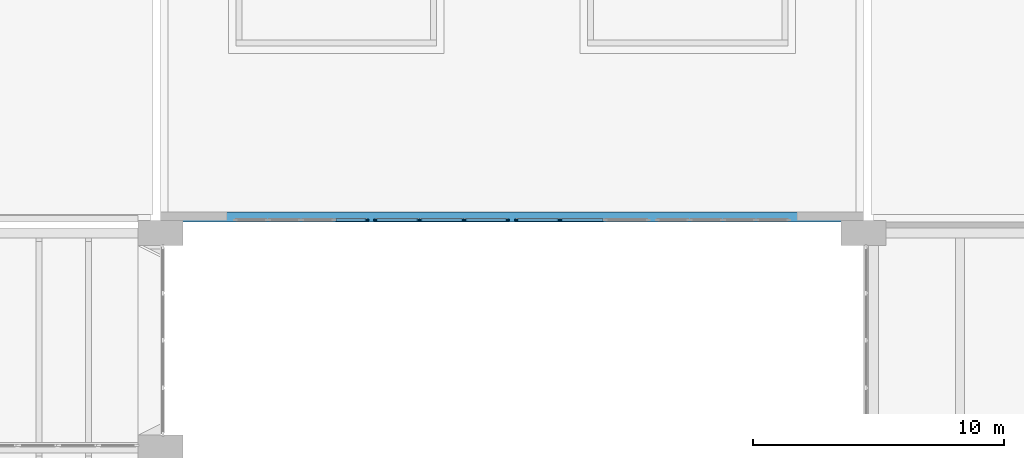
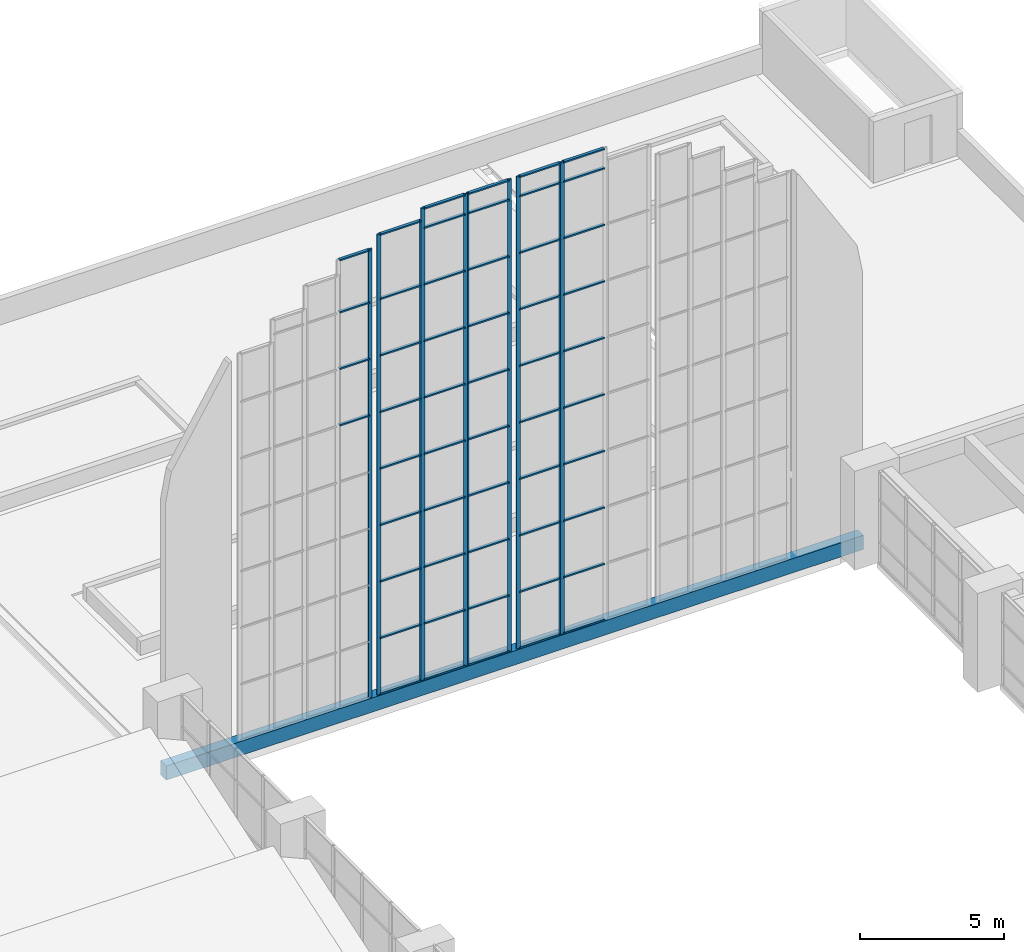
# One storey, part 16 of 43: 63 members, 1 beam, 6 elements without a shape of their own.
"""IFC4 building model written with IfcOpenShell, lengths in metres."""

from ifc_helpers import new_model, si_unit, direction, frame, origin, origin_2d, place, context, subcontext, project, spatial, rectangle, extrude, material, material_profile, profile_set, type_object, element, aggregate, save


model = new_model("IFC4")

# Units and contexts
model_context = context("Model", 3, precision=1e-05, world=origin(), true_north=direction((0.0, 1.0)))
body_context = subcontext(model_context, "Body", "Model", "MODEL_VIEW")
ifc_project = project(units=[si_unit("LENGTHUNIT", "METRE"), si_unit("AREAUNIT", "SQUARE_METRE"), si_unit("VOLUMEUNIT", "CUBIC_METRE"), si_unit("PLANEANGLEUNIT", "RADIAN"), si_unit("MASSUNIT", "GRAM", prefix="KILO")], contexts=[model_context])

# Site, building, storey
site_placement = place(None, origin())
site = spatial("IfcSite", under=ifc_project, at=site_placement, CompositionType="ELEMENT")
building_placement = place(site_placement, origin())
building = spatial("IfcBuilding", under=site, at=building_placement, Name="Elmora Arch Market Hall", CompositionType="ELEMENT")
storey_placement = place(building_placement, frame((0.0, 0.0, 10.199951171875)))
storey = spatial("IfcBuildingStorey", under=building, at=storey_placement, Name="L02", CompositionType="ELEMENT", Elevation=10.199951171875)

# Beam
ifc_material_1 = material(Name="Concrete C32/40", Category="concrete")
ifc_material_profile_1 = material_profile(ifc_material_1, rectangle(XDim=0.39990234375, YDim=0.60009765625, at=origin_2d()), Name="Gable sill beam")
ifc_profile_set_1 = profile_set([ifc_material_profile_1], Name="Concrete C32/40")
beam_type = type_object("IfcBeamType", Name="Gable sill beam", PredefinedType="BEAM", material=ifc_profile_set_1)
beam_placement = place(storey_placement, frame((15.0, 99.199951171875, 0.300048828125), z_axis=(1.0, 0.0, 0.0), x_axis=(0.0, 1.0, 0.0)))
element("IfcBeam", 1, at=beam_placement, inside=storey, type_object=beam_type, Name="North gable sill beam", PredefinedType="BEAM", context=body_context, shape_type="SweptSolid", body=[
    extrude(rectangle(XDim=0.39990234375, YDim=0.60009765625, at=origin_2d()), origin(), (0.0, 0.0, 1.0), 28.0),
])

# Curtain wall, member
ifc_material_2 = material(Name="Aluminium", Category="aluminium")
curtain_wall_type = type_object("IfcCurtainWallType", Name="Gable curtain wall", PredefinedType="NOTDEFINED", material=ifc_material_2)
curtain_wall_1_placement = place(storey_placement, origin())
curtain_wall_1 = element("IfcCurtainWall", 2, at=curtain_wall_1_placement, inside=storey, type_object=curtain_wall_type, Name="North gable glazing 4", PredefinedType="NOTDEFINED")
ifc_material_3 = material(Name="Aluminium", Category="aluminium")
ifc_material_profile_2 = material_profile(ifc_material_3, rectangle(XDim=0.06005859375, YDim=0.159912109375, at=origin_2d()), Name="AL 60x160")
ifc_profile_set_2 = profile_set([ifc_material_profile_2], Name="Aluminium")
member_type_1 = type_object("IfcMemberType", Name="Mullion 60x160", PredefinedType="MULLION", material=ifc_profile_set_2)
member_1_placement = place(storey_placement, frame((23.219970703125, 99.080078125, 0.60009765625), z_axis=(0.0, 0.0, 1.0), x_axis=(0.0, 1.0, 0.0)))
member_1 = element("IfcMember", 3, at=member_1_placement, type_object=member_type_1, Name="CW8 mullion 2", PredefinedType="MULLION", context=body_context, shape_type="SweptSolid", body=[
    extrude(rectangle(XDim=0.06005859375, YDim=0.159912109375, at=origin_2d()), origin(), (0.0, 0.0, 1.0), 19.044921875),
])

# Curtain wall, members
curtain_wall_2_placement = place(storey_placement, origin())
curtain_wall_2 = element("IfcCurtainWall", 4, at=curtain_wall_2_placement, inside=storey, type_object=curtain_wall_type, Name="North gable glazing 5", PredefinedType="NOTDEFINED")
member_2_placement = place(storey_placement, frame((23.580078125, 99.080078125, 0.60009765625), z_axis=(0.0, 0.0, 1.0), x_axis=(0.0, 1.0, 0.0)))
member_2 = element("IfcMember", 5, at=member_2_placement, type_object=member_type_1, Name="CW8 mullion 1", PredefinedType="MULLION", context=body_context, shape_type="SweptSolid", body=[
    extrude(rectangle(XDim=0.06005859375, YDim=0.159912109375, at=origin_2d()), origin(), (0.0, 0.0, 1.0), 19.557861328125),
])
member_3_placement = place(storey_placement, frame((25.28662109375, 99.080078125, 0.60009765625), z_axis=(0.0, 0.0, 1.0), x_axis=(0.0, 1.0, 0.0)))
member_3 = element("IfcMember", 6, at=member_3_placement, type_object=member_type_1, Name="CW8 mullion 2", PredefinedType="MULLION", context=body_context, shape_type="SweptSolid", body=[
    extrude(rectangle(XDim=0.06005859375, YDim=0.159912109375, at=origin_2d()), origin(), (0.0, 0.0, 1.0), 19.557861328125),
])

curtain_wall_3_placement = place(storey_placement, origin())
curtain_wall_3 = element("IfcCurtainWall", 7, at=curtain_wall_3_placement, inside=storey, type_object=curtain_wall_type, Name="North gable glazing 6", PredefinedType="NOTDEFINED")
member_4_placement = place(storey_placement, frame((25.3466796875, 99.080078125, 0.60009765625), z_axis=(0.0, 0.0, 1.0), x_axis=(0.0, 1.0, 0.0)))
member_4 = element("IfcMember", 8, at=member_4_placement, type_object=member_type_1, Name="CW8 mullion 1", PredefinedType="MULLION", context=body_context, shape_type="SweptSolid", body=[
    extrude(rectangle(XDim=0.06005859375, YDim=0.159912109375, at=origin_2d()), origin(), (0.0, 0.0, 1.0), 20.050048828125),
])
member_5_placement = place(storey_placement, frame((27.05322265625, 99.080078125, 0.60009765625), z_axis=(0.0, 0.0, 1.0), x_axis=(0.0, 1.0, 0.0)))
member_5 = element("IfcMember", 9, at=member_5_placement, type_object=member_type_1, Name="CW8 mullion 2", PredefinedType="MULLION", context=body_context, shape_type="SweptSolid", body=[
    extrude(rectangle(XDim=0.06005859375, YDim=0.159912109375, at=origin_2d()), origin(), (0.0, 0.0, 1.0), 20.050048828125),
])

curtain_wall_4_placement = place(storey_placement, origin())
curtain_wall_4 = element("IfcCurtainWall", 10, at=curtain_wall_4_placement, inside=storey, type_object=curtain_wall_type, Name="North gable glazing 7", PredefinedType="NOTDEFINED")
member_6_placement = place(storey_placement, frame((27.11328125, 99.080078125, 0.60009765625), z_axis=(0.0, 0.0, 1.0), x_axis=(0.0, 1.0, 0.0)))
member_6 = element("IfcMember", 11, at=member_6_placement, type_object=member_type_1, Name="CW8 mullion 1", PredefinedType="MULLION", context=body_context, shape_type="SweptSolid", body=[
    extrude(rectangle(XDim=0.06005859375, YDim=0.159912109375, at=origin_2d()), origin(), (0.0, 0.0, 1.0), 20.050048828125),
])
member_7_placement = place(storey_placement, frame((28.820068359375, 99.080078125, 0.60009765625), z_axis=(0.0, 0.0, 1.0), x_axis=(0.0, 1.0, 0.0)))
member_7 = element("IfcMember", 12, at=member_7_placement, type_object=member_type_1, Name="CW8 mullion 2", PredefinedType="MULLION", context=body_context, shape_type="SweptSolid", body=[
    extrude(rectangle(XDim=0.06005859375, YDim=0.159912109375, at=origin_2d()), origin(), (0.0, 0.0, 1.0), 20.050048828125),
])

curtain_wall_5_placement = place(storey_placement, origin())
curtain_wall_5 = element("IfcCurtainWall", 13, at=curtain_wall_5_placement, inside=storey, type_object=curtain_wall_type, Name="North gable glazing 8", PredefinedType="NOTDEFINED")
member_8_placement = place(storey_placement, frame((29.179931640625, 99.080078125, 0.60009765625), z_axis=(0.0, 0.0, 1.0), x_axis=(0.0, 1.0, 0.0)))
member_8 = element("IfcMember", 14, at=member_8_placement, type_object=member_type_1, Name="CW8 mullion 1", PredefinedType="MULLION", context=body_context, shape_type="SweptSolid", body=[
    extrude(rectangle(XDim=0.06005859375, YDim=0.159912109375, at=origin_2d()), origin(), (0.0, 0.0, 1.0), 20.050048828125),
])
member_9_placement = place(storey_placement, frame((30.88671875, 99.080078125, 0.60009765625), z_axis=(0.0, 0.0, 1.0), x_axis=(0.0, 1.0, 0.0)))
member_9 = element("IfcMember", 15, at=member_9_placement, type_object=member_type_1, Name="CW8 mullion 2", PredefinedType="MULLION", context=body_context, shape_type="SweptSolid", body=[
    extrude(rectangle(XDim=0.06005859375, YDim=0.159912109375, at=origin_2d()), origin(), (0.0, 0.0, 1.0), 20.050048828125),
])

# Curtain wall, member
curtain_wall_6_placement = place(storey_placement, origin())
curtain_wall_6 = element("IfcCurtainWall", 16, at=curtain_wall_6_placement, inside=storey, type_object=curtain_wall_type, Name="North gable glazing 9", PredefinedType="NOTDEFINED")
member_10_placement = place(storey_placement, frame((30.94677734375, 99.080078125, 0.60009765625), z_axis=(0.0, 0.0, 1.0), x_axis=(0.0, 1.0, 0.0)))
member_10 = element("IfcMember", 17, at=member_10_placement, type_object=member_type_1, Name="CW8 mullion 1", PredefinedType="MULLION", context=body_context, shape_type="SweptSolid", body=[
    extrude(rectangle(XDim=0.06005859375, YDim=0.159912109375, at=origin_2d()), origin(), (0.0, 0.0, 1.0), 20.050048828125),
])

# Member
ifc_material_4 = material(Name="Aluminium", Category="aluminium")
ifc_material_profile_3 = material_profile(ifc_material_4, rectangle(XDim=0.1201171875, YDim=0.06005859375, at=origin_2d()), Name="AL 120x60")
ifc_profile_set_3 = profile_set([ifc_material_profile_3], Name="Aluminium")
member_type_2 = type_object("IfcMemberType", Name="Transom 120x60", PredefinedType="USERDEFINED", material=ifc_profile_set_3)
member_11_placement = place(storey_placement, frame((21.985107421875, 99.080078125, 12.60009765625), z_axis=(1.0, 0.0, 0.0), x_axis=(0.0, 1.0, 0.0)))
member_11 = element("IfcMember", 18, at=member_11_placement, type_object=member_type_2, Name="CW8 transom 1.6", ObjectType="TRANSOM", PredefinedType="USERDEFINED", context=body_context, shape_type="SweptSolid", body=[
    extrude(rectangle(XDim=0.1201171875, YDim=0.06005859375, at=origin_2d()), origin(), (0.0, 0.0, 1.0), 1.204833984375),
])

member_12_placement = place(storey_placement, frame((21.985107421875, 99.080078125, 15.0), z_axis=(1.0, 0.0, 0.0), x_axis=(0.0, 1.0, 0.0)))
member_12 = element("IfcMember", 19, at=member_12_placement, type_object=member_type_2, Name="CW8 transom 1.7", ObjectType="TRANSOM", PredefinedType="USERDEFINED", context=body_context, shape_type="SweptSolid", body=[
    extrude(rectangle(XDim=0.1201171875, YDim=0.06005859375, at=origin_2d()), origin(), (0.0, 0.0, 1.0), 1.204833984375),
])

member_13_placement = place(storey_placement, frame((21.985107421875, 99.080078125, 17.400146484375), z_axis=(1.0, 0.0, 0.0), x_axis=(0.0, 1.0, 0.0)))
member_13 = element("IfcMember", 20, at=member_13_placement, type_object=member_type_2, Name="CW8 transom 1.8", ObjectType="TRANSOM", PredefinedType="USERDEFINED", context=body_context, shape_type="SweptSolid", body=[
    extrude(rectangle(XDim=0.1201171875, YDim=0.06005859375, at=origin_2d()), origin(), (0.0, 0.0, 1.0), 1.204833984375),
])

member_14_placement = place(storey_placement, frame((21.985107421875, 99.080078125, 19.614990234375), z_axis=(1.0, 0.0, 0.0), x_axis=(0.0, 1.0, 0.0)))
member_14 = element("IfcMember", 21, at=member_14_placement, type_object=member_type_2, Name="CW8 transom 1.9", ObjectType="TRANSOM", PredefinedType="USERDEFINED", context=body_context, shape_type="SweptSolid", body=[
    extrude(rectangle(XDim=0.1201171875, YDim=0.06005859375, at=origin_2d()), origin(), (0.0, 0.0, 1.0), 1.204833984375),
])

aggregate(curtain_wall_1, [member_1, member_11, member_12, member_13, member_14])

member_15_placement = place(storey_placement, frame((23.610107421875, 99.080078125, 0.630126953125), z_axis=(1.0, 0.0, 0.0), x_axis=(0.0, 1.0, 0.0)))
member_15 = element("IfcMember", 22, at=member_15_placement, type_object=member_type_2, Name="CW8 transom 1.1", ObjectType="TRANSOM", PredefinedType="USERDEFINED", context=body_context, shape_type="SweptSolid", body=[
    extrude(rectangle(XDim=0.1201171875, YDim=0.06005859375, at=origin_2d()), origin(), (0.0, 0.0, 1.0), 1.646484375),
])

member_16_placement = place(storey_placement, frame((23.610107421875, 99.080078125, 3.0), z_axis=(1.0, 0.0, 0.0), x_axis=(0.0, 1.0, 0.0)))
member_16 = element("IfcMember", 23, at=member_16_placement, type_object=member_type_2, Name="CW8 transom 1.2", ObjectType="TRANSOM", PredefinedType="USERDEFINED", context=body_context, shape_type="SweptSolid", body=[
    extrude(rectangle(XDim=0.1201171875, YDim=0.06005859375, at=origin_2d()), origin(), (0.0, 0.0, 1.0), 1.646484375),
])

member_17_placement = place(storey_placement, frame((23.610107421875, 99.080078125, 5.400146484375), z_axis=(1.0, 0.0, 0.0), x_axis=(0.0, 1.0, 0.0)))
member_17 = element("IfcMember", 24, at=member_17_placement, type_object=member_type_2, Name="CW8 transom 1.3", ObjectType="TRANSOM", PredefinedType="USERDEFINED", context=body_context, shape_type="SweptSolid", body=[
    extrude(rectangle(XDim=0.1201171875, YDim=0.06005859375, at=origin_2d()), origin(), (0.0, 0.0, 1.0), 1.646484375),
])

member_18_placement = place(storey_placement, frame((23.610107421875, 99.080078125, 7.800048828125), z_axis=(1.0, 0.0, 0.0), x_axis=(0.0, 1.0, 0.0)))
member_18 = element("IfcMember", 25, at=member_18_placement, type_object=member_type_2, Name="CW8 transom 1.4", ObjectType="TRANSOM", PredefinedType="USERDEFINED", context=body_context, shape_type="SweptSolid", body=[
    extrude(rectangle(XDim=0.1201171875, YDim=0.06005859375, at=origin_2d()), origin(), (0.0, 0.0, 1.0), 1.646484375),
])

member_19_placement = place(storey_placement, frame((23.610107421875, 99.080078125, 10.199951171875), z_axis=(1.0, 0.0, 0.0), x_axis=(0.0, 1.0, 0.0)))
member_19 = element("IfcMember", 26, at=member_19_placement, type_object=member_type_2, Name="CW8 transom 1.5", ObjectType="TRANSOM", PredefinedType="USERDEFINED", context=body_context, shape_type="SweptSolid", body=[
    extrude(rectangle(XDim=0.1201171875, YDim=0.06005859375, at=origin_2d()), origin(), (0.0, 0.0, 1.0), 1.646484375),
])

member_20_placement = place(storey_placement, frame((23.610107421875, 99.080078125, 12.60009765625), z_axis=(1.0, 0.0, 0.0), x_axis=(0.0, 1.0, 0.0)))
member_20 = element("IfcMember", 27, at=member_20_placement, type_object=member_type_2, Name="CW8 transom 1.6", ObjectType="TRANSOM", PredefinedType="USERDEFINED", context=body_context, shape_type="SweptSolid", body=[
    extrude(rectangle(XDim=0.1201171875, YDim=0.06005859375, at=origin_2d()), origin(), (0.0, 0.0, 1.0), 1.646484375),
])

member_21_placement = place(storey_placement, frame((23.610107421875, 99.080078125, 15.0), z_axis=(1.0, 0.0, 0.0), x_axis=(0.0, 1.0, 0.0)))
member_21 = element("IfcMember", 28, at=member_21_placement, type_object=member_type_2, Name="CW8 transom 1.7", ObjectType="TRANSOM", PredefinedType="USERDEFINED", context=body_context, shape_type="SweptSolid", body=[
    extrude(rectangle(XDim=0.1201171875, YDim=0.06005859375, at=origin_2d()), origin(), (0.0, 0.0, 1.0), 1.646484375),
])

member_22_placement = place(storey_placement, frame((23.610107421875, 99.080078125, 17.400146484375), z_axis=(1.0, 0.0, 0.0), x_axis=(0.0, 1.0, 0.0)))
member_22 = element("IfcMember", 29, at=member_22_placement, type_object=member_type_2, Name="CW8 transom 1.8", ObjectType="TRANSOM", PredefinedType="USERDEFINED", context=body_context, shape_type="SweptSolid", body=[
    extrude(rectangle(XDim=0.1201171875, YDim=0.06005859375, at=origin_2d()), origin(), (0.0, 0.0, 1.0), 1.646484375),
])

member_23_placement = place(storey_placement, frame((23.610107421875, 99.080078125, 20.1279296875), z_axis=(1.0, 0.0, 0.0), x_axis=(0.0, 1.0, 0.0)))
member_23 = element("IfcMember", 30, at=member_23_placement, type_object=member_type_2, Name="CW8 transom 1.9", ObjectType="TRANSOM", PredefinedType="USERDEFINED", context=body_context, shape_type="SweptSolid", body=[
    extrude(rectangle(XDim=0.1201171875, YDim=0.06005859375, at=origin_2d()), origin(), (0.0, 0.0, 1.0), 1.646484375),
])

aggregate(curtain_wall_2, [member_2, member_3, member_15, member_16, member_17, member_18, member_19, member_20, member_21, member_22, member_23])

member_24_placement = place(storey_placement, frame((25.376708984375, 99.080078125, 0.630126953125), z_axis=(1.0, 0.0, 0.0), x_axis=(0.0, 1.0, 0.0)))
member_24 = element("IfcMember", 31, at=member_24_placement, type_object=member_type_2, Name="CW8 transom 1.1", ObjectType="TRANSOM", PredefinedType="USERDEFINED", context=body_context, shape_type="SweptSolid", body=[
    extrude(rectangle(XDim=0.1201171875, YDim=0.06005859375, at=origin_2d()), origin(), (0.0, 0.0, 1.0), 1.646728515625),
])

member_25_placement = place(storey_placement, frame((25.376708984375, 99.080078125, 3.0), z_axis=(1.0, 0.0, 0.0), x_axis=(0.0, 1.0, 0.0)))
member_25 = element("IfcMember", 32, at=member_25_placement, type_object=member_type_2, Name="CW8 transom 1.2", ObjectType="TRANSOM", PredefinedType="USERDEFINED", context=body_context, shape_type="SweptSolid", body=[
    extrude(rectangle(XDim=0.1201171875, YDim=0.06005859375, at=origin_2d()), origin(), (0.0, 0.0, 1.0), 1.646728515625),
])

member_26_placement = place(storey_placement, frame((25.376708984375, 99.080078125, 5.400146484375), z_axis=(1.0, 0.0, 0.0), x_axis=(0.0, 1.0, 0.0)))
member_26 = element("IfcMember", 33, at=member_26_placement, type_object=member_type_2, Name="CW8 transom 1.3", ObjectType="TRANSOM", PredefinedType="USERDEFINED", context=body_context, shape_type="SweptSolid", body=[
    extrude(rectangle(XDim=0.1201171875, YDim=0.06005859375, at=origin_2d()), origin(), (0.0, 0.0, 1.0), 1.646728515625),
])

member_27_placement = place(storey_placement, frame((25.376708984375, 99.080078125, 7.800048828125), z_axis=(1.0, 0.0, 0.0), x_axis=(0.0, 1.0, 0.0)))
member_27 = element("IfcMember", 34, at=member_27_placement, type_object=member_type_2, Name="CW8 transom 1.4", ObjectType="TRANSOM", PredefinedType="USERDEFINED", context=body_context, shape_type="SweptSolid", body=[
    extrude(rectangle(XDim=0.1201171875, YDim=0.06005859375, at=origin_2d()), origin(), (0.0, 0.0, 1.0), 1.646728515625),
])

member_28_placement = place(storey_placement, frame((25.376708984375, 99.080078125, 10.199951171875), z_axis=(1.0, 0.0, 0.0), x_axis=(0.0, 1.0, 0.0)))
member_28 = element("IfcMember", 35, at=member_28_placement, type_object=member_type_2, Name="CW8 transom 1.5", ObjectType="TRANSOM", PredefinedType="USERDEFINED", context=body_context, shape_type="SweptSolid", body=[
    extrude(rectangle(XDim=0.1201171875, YDim=0.06005859375, at=origin_2d()), origin(), (0.0, 0.0, 1.0), 1.646728515625),
])

member_29_placement = place(storey_placement, frame((25.376708984375, 99.080078125, 12.60009765625), z_axis=(1.0, 0.0, 0.0), x_axis=(0.0, 1.0, 0.0)))
member_29 = element("IfcMember", 36, at=member_29_placement, type_object=member_type_2, Name="CW8 transom 1.6", ObjectType="TRANSOM", PredefinedType="USERDEFINED", context=body_context, shape_type="SweptSolid", body=[
    extrude(rectangle(XDim=0.1201171875, YDim=0.06005859375, at=origin_2d()), origin(), (0.0, 0.0, 1.0), 1.646728515625),
])

member_30_placement = place(storey_placement, frame((25.376708984375, 99.080078125, 15.0), z_axis=(1.0, 0.0, 0.0), x_axis=(0.0, 1.0, 0.0)))
member_30 = element("IfcMember", 37, at=member_30_placement, type_object=member_type_2, Name="CW8 transom 1.7", ObjectType="TRANSOM", PredefinedType="USERDEFINED", context=body_context, shape_type="SweptSolid", body=[
    extrude(rectangle(XDim=0.1201171875, YDim=0.06005859375, at=origin_2d()), origin(), (0.0, 0.0, 1.0), 1.646728515625),
])

member_31_placement = place(storey_placement, frame((25.376708984375, 99.080078125, 17.400146484375), z_axis=(1.0, 0.0, 0.0), x_axis=(0.0, 1.0, 0.0)))
member_31 = element("IfcMember", 38, at=member_31_placement, type_object=member_type_2, Name="CW8 transom 1.8", ObjectType="TRANSOM", PredefinedType="USERDEFINED", context=body_context, shape_type="SweptSolid", body=[
    extrude(rectangle(XDim=0.1201171875, YDim=0.06005859375, at=origin_2d()), origin(), (0.0, 0.0, 1.0), 1.646728515625),
])

member_32_placement = place(storey_placement, frame((25.376708984375, 99.080078125, 19.800048828125), z_axis=(1.0, 0.0, 0.0), x_axis=(0.0, 1.0, 0.0)))
member_32 = element("IfcMember", 39, at=member_32_placement, type_object=member_type_2, Name="CW8 transom 1.9", ObjectType="TRANSOM", PredefinedType="USERDEFINED", context=body_context, shape_type="SweptSolid", body=[
    extrude(rectangle(XDim=0.1201171875, YDim=0.06005859375, at=origin_2d()), origin(), (0.0, 0.0, 1.0), 1.646728515625),
])

member_33_placement = place(storey_placement, frame((25.376708984375, 99.080078125, 20.6201171875), z_axis=(1.0, 0.0, 0.0), x_axis=(0.0, 1.0, 0.0)))
member_33 = element("IfcMember", 40, at=member_33_placement, type_object=member_type_2, Name="CW8 transom 1.10", ObjectType="TRANSOM", PredefinedType="USERDEFINED", context=body_context, shape_type="SweptSolid", body=[
    extrude(rectangle(XDim=0.1201171875, YDim=0.06005859375, at=origin_2d()), origin(), (0.0, 0.0, 1.0), 1.646728515625),
])

aggregate(curtain_wall_3, [member_4, member_5, member_24, member_25, member_26, member_27, member_28, member_29, member_30, member_31, member_32, member_33])

member_34_placement = place(storey_placement, frame((27.143310546875, 99.080078125, 0.630126953125), z_axis=(1.0, 0.0, 0.0), x_axis=(0.0, 1.0, 0.0)))
member_34 = element("IfcMember", 41, at=member_34_placement, type_object=member_type_2, Name="CW8 transom 1.1", ObjectType="TRANSOM", PredefinedType="USERDEFINED", context=body_context, shape_type="SweptSolid", body=[
    extrude(rectangle(XDim=0.1201171875, YDim=0.06005859375, at=origin_2d()), origin(), (0.0, 0.0, 1.0), 1.646728515625),
])

member_35_placement = place(storey_placement, frame((27.143310546875, 99.080078125, 3.0), z_axis=(1.0, 0.0, 0.0), x_axis=(0.0, 1.0, 0.0)))
member_35 = element("IfcMember", 42, at=member_35_placement, type_object=member_type_2, Name="CW8 transom 1.2", ObjectType="TRANSOM", PredefinedType="USERDEFINED", context=body_context, shape_type="SweptSolid", body=[
    extrude(rectangle(XDim=0.1201171875, YDim=0.06005859375, at=origin_2d()), origin(), (0.0, 0.0, 1.0), 1.646728515625),
])

member_36_placement = place(storey_placement, frame((27.143310546875, 99.080078125, 5.400146484375), z_axis=(1.0, 0.0, 0.0), x_axis=(0.0, 1.0, 0.0)))
member_36 = element("IfcMember", 43, at=member_36_placement, type_object=member_type_2, Name="CW8 transom 1.3", ObjectType="TRANSOM", PredefinedType="USERDEFINED", context=body_context, shape_type="SweptSolid", body=[
    extrude(rectangle(XDim=0.1201171875, YDim=0.06005859375, at=origin_2d()), origin(), (0.0, 0.0, 1.0), 1.646728515625),
])

member_37_placement = place(storey_placement, frame((27.143310546875, 99.080078125, 7.800048828125), z_axis=(1.0, 0.0, 0.0), x_axis=(0.0, 1.0, 0.0)))
member_37 = element("IfcMember", 44, at=member_37_placement, type_object=member_type_2, Name="CW8 transom 1.4", ObjectType="TRANSOM", PredefinedType="USERDEFINED", context=body_context, shape_type="SweptSolid", body=[
    extrude(rectangle(XDim=0.1201171875, YDim=0.06005859375, at=origin_2d()), origin(), (0.0, 0.0, 1.0), 1.646728515625),
])

member_38_placement = place(storey_placement, frame((27.143310546875, 99.080078125, 10.199951171875), z_axis=(1.0, 0.0, 0.0), x_axis=(0.0, 1.0, 0.0)))
member_38 = element("IfcMember", 45, at=member_38_placement, type_object=member_type_2, Name="CW8 transom 1.5", ObjectType="TRANSOM", PredefinedType="USERDEFINED", context=body_context, shape_type="SweptSolid", body=[
    extrude(rectangle(XDim=0.1201171875, YDim=0.06005859375, at=origin_2d()), origin(), (0.0, 0.0, 1.0), 1.646728515625),
])

member_39_placement = place(storey_placement, frame((27.143310546875, 99.080078125, 12.60009765625), z_axis=(1.0, 0.0, 0.0), x_axis=(0.0, 1.0, 0.0)))
member_39 = element("IfcMember", 46, at=member_39_placement, type_object=member_type_2, Name="CW8 transom 1.6", ObjectType="TRANSOM", PredefinedType="USERDEFINED", context=body_context, shape_type="SweptSolid", body=[
    extrude(rectangle(XDim=0.1201171875, YDim=0.06005859375, at=origin_2d()), origin(), (0.0, 0.0, 1.0), 1.646728515625),
])

member_40_placement = place(storey_placement, frame((27.143310546875, 99.080078125, 15.0), z_axis=(1.0, 0.0, 0.0), x_axis=(0.0, 1.0, 0.0)))
member_40 = element("IfcMember", 47, at=member_40_placement, type_object=member_type_2, Name="CW8 transom 1.7", ObjectType="TRANSOM", PredefinedType="USERDEFINED", context=body_context, shape_type="SweptSolid", body=[
    extrude(rectangle(XDim=0.1201171875, YDim=0.06005859375, at=origin_2d()), origin(), (0.0, 0.0, 1.0), 1.646728515625),
])

member_41_placement = place(storey_placement, frame((27.143310546875, 99.080078125, 17.400146484375), z_axis=(1.0, 0.0, 0.0), x_axis=(0.0, 1.0, 0.0)))
member_41 = element("IfcMember", 48, at=member_41_placement, type_object=member_type_2, Name="CW8 transom 1.8", ObjectType="TRANSOM", PredefinedType="USERDEFINED", context=body_context, shape_type="SweptSolid", body=[
    extrude(rectangle(XDim=0.1201171875, YDim=0.06005859375, at=origin_2d()), origin(), (0.0, 0.0, 1.0), 1.646728515625),
])

member_42_placement = place(storey_placement, frame((27.143310546875, 99.080078125, 19.800048828125), z_axis=(1.0, 0.0, 0.0), x_axis=(0.0, 1.0, 0.0)))
member_42 = element("IfcMember", 49, at=member_42_placement, type_object=member_type_2, Name="CW8 transom 1.9", ObjectType="TRANSOM", PredefinedType="USERDEFINED", context=body_context, shape_type="SweptSolid", body=[
    extrude(rectangle(XDim=0.1201171875, YDim=0.06005859375, at=origin_2d()), origin(), (0.0, 0.0, 1.0), 1.646728515625),
])

member_43_placement = place(storey_placement, frame((27.143310546875, 99.080078125, 20.6201171875), z_axis=(1.0, 0.0, 0.0), x_axis=(0.0, 1.0, 0.0)))
member_43 = element("IfcMember", 50, at=member_43_placement, type_object=member_type_2, Name="CW8 transom 1.10", ObjectType="TRANSOM", PredefinedType="USERDEFINED", context=body_context, shape_type="SweptSolid", body=[
    extrude(rectangle(XDim=0.1201171875, YDim=0.06005859375, at=origin_2d()), origin(), (0.0, 0.0, 1.0), 1.646728515625),
])

aggregate(curtain_wall_4, [member_6, member_7, member_34, member_35, member_36, member_37, member_38, member_39, member_40, member_41, member_42, member_43])

member_44_placement = place(storey_placement, frame((29.2099609375, 99.080078125, 0.630126953125), z_axis=(1.0, 0.0, 0.0), x_axis=(0.0, 1.0, 0.0)))
member_44 = element("IfcMember", 51, at=member_44_placement, type_object=member_type_2, Name="CW8 transom 1.1", ObjectType="TRANSOM", PredefinedType="USERDEFINED", context=body_context, shape_type="SweptSolid", body=[
    extrude(rectangle(XDim=0.1201171875, YDim=0.06005859375, at=origin_2d()), origin(), (0.0, 0.0, 1.0), 1.646728515625),
])

member_45_placement = place(storey_placement, frame((29.2099609375, 99.080078125, 3.0), z_axis=(1.0, 0.0, 0.0), x_axis=(0.0, 1.0, 0.0)))
member_45 = element("IfcMember", 52, at=member_45_placement, type_object=member_type_2, Name="CW8 transom 1.2", ObjectType="TRANSOM", PredefinedType="USERDEFINED", context=body_context, shape_type="SweptSolid", body=[
    extrude(rectangle(XDim=0.1201171875, YDim=0.06005859375, at=origin_2d()), origin(), (0.0, 0.0, 1.0), 1.646728515625),
])

member_46_placement = place(storey_placement, frame((29.2099609375, 99.080078125, 5.400146484375), z_axis=(1.0, 0.0, 0.0), x_axis=(0.0, 1.0, 0.0)))
member_46 = element("IfcMember", 53, at=member_46_placement, type_object=member_type_2, Name="CW8 transom 1.3", ObjectType="TRANSOM", PredefinedType="USERDEFINED", context=body_context, shape_type="SweptSolid", body=[
    extrude(rectangle(XDim=0.1201171875, YDim=0.06005859375, at=origin_2d()), origin(), (0.0, 0.0, 1.0), 1.646728515625),
])

member_47_placement = place(storey_placement, frame((29.2099609375, 99.080078125, 7.800048828125), z_axis=(1.0, 0.0, 0.0), x_axis=(0.0, 1.0, 0.0)))
member_47 = element("IfcMember", 54, at=member_47_placement, type_object=member_type_2, Name="CW8 transom 1.4", ObjectType="TRANSOM", PredefinedType="USERDEFINED", context=body_context, shape_type="SweptSolid", body=[
    extrude(rectangle(XDim=0.1201171875, YDim=0.06005859375, at=origin_2d()), origin(), (0.0, 0.0, 1.0), 1.646728515625),
])

member_48_placement = place(storey_placement, frame((29.2099609375, 99.080078125, 10.199951171875), z_axis=(1.0, 0.0, 0.0), x_axis=(0.0, 1.0, 0.0)))
member_48 = element("IfcMember", 55, at=member_48_placement, type_object=member_type_2, Name="CW8 transom 1.5", ObjectType="TRANSOM", PredefinedType="USERDEFINED", context=body_context, shape_type="SweptSolid", body=[
    extrude(rectangle(XDim=0.1201171875, YDim=0.06005859375, at=origin_2d()), origin(), (0.0, 0.0, 1.0), 1.646728515625),
])

member_49_placement = place(storey_placement, frame((29.2099609375, 99.080078125, 12.60009765625), z_axis=(1.0, 0.0, 0.0), x_axis=(0.0, 1.0, 0.0)))
member_49 = element("IfcMember", 56, at=member_49_placement, type_object=member_type_2, Name="CW8 transom 1.6", ObjectType="TRANSOM", PredefinedType="USERDEFINED", context=body_context, shape_type="SweptSolid", body=[
    extrude(rectangle(XDim=0.1201171875, YDim=0.06005859375, at=origin_2d()), origin(), (0.0, 0.0, 1.0), 1.646728515625),
])

member_50_placement = place(storey_placement, frame((29.2099609375, 99.080078125, 15.0), z_axis=(1.0, 0.0, 0.0), x_axis=(0.0, 1.0, 0.0)))
member_50 = element("IfcMember", 57, at=member_50_placement, type_object=member_type_2, Name="CW8 transom 1.7", ObjectType="TRANSOM", PredefinedType="USERDEFINED", context=body_context, shape_type="SweptSolid", body=[
    extrude(rectangle(XDim=0.1201171875, YDim=0.06005859375, at=origin_2d()), origin(), (0.0, 0.0, 1.0), 1.646728515625),
])

member_51_placement = place(storey_placement, frame((29.2099609375, 99.080078125, 17.400146484375), z_axis=(1.0, 0.0, 0.0), x_axis=(0.0, 1.0, 0.0)))
member_51 = element("IfcMember", 58, at=member_51_placement, type_object=member_type_2, Name="CW8 transom 1.8", ObjectType="TRANSOM", PredefinedType="USERDEFINED", context=body_context, shape_type="SweptSolid", body=[
    extrude(rectangle(XDim=0.1201171875, YDim=0.06005859375, at=origin_2d()), origin(), (0.0, 0.0, 1.0), 1.646728515625),
])

member_52_placement = place(storey_placement, frame((29.2099609375, 99.080078125, 19.800048828125), z_axis=(1.0, 0.0, 0.0), x_axis=(0.0, 1.0, 0.0)))
member_52 = element("IfcMember", 59, at=member_52_placement, type_object=member_type_2, Name="CW8 transom 1.9", ObjectType="TRANSOM", PredefinedType="USERDEFINED", context=body_context, shape_type="SweptSolid", body=[
    extrude(rectangle(XDim=0.1201171875, YDim=0.06005859375, at=origin_2d()), origin(), (0.0, 0.0, 1.0), 1.646728515625),
])

member_53_placement = place(storey_placement, frame((29.2099609375, 99.080078125, 20.6201171875), z_axis=(1.0, 0.0, 0.0), x_axis=(0.0, 1.0, 0.0)))
member_53 = element("IfcMember", 60, at=member_53_placement, type_object=member_type_2, Name="CW8 transom 1.10", ObjectType="TRANSOM", PredefinedType="USERDEFINED", context=body_context, shape_type="SweptSolid", body=[
    extrude(rectangle(XDim=0.1201171875, YDim=0.06005859375, at=origin_2d()), origin(), (0.0, 0.0, 1.0), 1.646728515625),
])

aggregate(curtain_wall_5, [member_8, member_9, member_44, member_45, member_46, member_47, member_48, member_49, member_50, member_51, member_52, member_53])

member_54_placement = place(storey_placement, frame((30.9765625, 99.080078125, 0.630126953125), z_axis=(1.0, 0.0, 0.0), x_axis=(0.0, 1.0, 0.0)))
member_54 = element("IfcMember", 61, at=member_54_placement, type_object=member_type_2, Name="CW8 transom 1.1", ObjectType="TRANSOM", PredefinedType="USERDEFINED", context=body_context, shape_type="SweptSolid", body=[
    extrude(rectangle(XDim=0.1201171875, YDim=0.06005859375, at=origin_2d()), origin(), (0.0, 0.0, 1.0), 1.646728515625),
])

member_55_placement = place(storey_placement, frame((30.9765625, 99.080078125, 3.0), z_axis=(1.0, 0.0, 0.0), x_axis=(0.0, 1.0, 0.0)))
member_55 = element("IfcMember", 62, at=member_55_placement, type_object=member_type_2, Name="CW8 transom 1.2", ObjectType="TRANSOM", PredefinedType="USERDEFINED", context=body_context, shape_type="SweptSolid", body=[
    extrude(rectangle(XDim=0.1201171875, YDim=0.06005859375, at=origin_2d()), origin(), (0.0, 0.0, 1.0), 1.646728515625),
])

member_56_placement = place(storey_placement, frame((30.9765625, 99.080078125, 5.400146484375), z_axis=(1.0, 0.0, 0.0), x_axis=(0.0, 1.0, 0.0)))
member_56 = element("IfcMember", 63, at=member_56_placement, type_object=member_type_2, Name="CW8 transom 1.3", ObjectType="TRANSOM", PredefinedType="USERDEFINED", context=body_context, shape_type="SweptSolid", body=[
    extrude(rectangle(XDim=0.1201171875, YDim=0.06005859375, at=origin_2d()), origin(), (0.0, 0.0, 1.0), 1.646728515625),
])

member_57_placement = place(storey_placement, frame((30.9765625, 99.080078125, 7.800048828125), z_axis=(1.0, 0.0, 0.0), x_axis=(0.0, 1.0, 0.0)))
member_57 = element("IfcMember", 64, at=member_57_placement, type_object=member_type_2, Name="CW8 transom 1.4", ObjectType="TRANSOM", PredefinedType="USERDEFINED", context=body_context, shape_type="SweptSolid", body=[
    extrude(rectangle(XDim=0.1201171875, YDim=0.06005859375, at=origin_2d()), origin(), (0.0, 0.0, 1.0), 1.646728515625),
])

member_58_placement = place(storey_placement, frame((30.9765625, 99.080078125, 10.199951171875), z_axis=(1.0, 0.0, 0.0), x_axis=(0.0, 1.0, 0.0)))
member_58 = element("IfcMember", 65, at=member_58_placement, type_object=member_type_2, Name="CW8 transom 1.5", ObjectType="TRANSOM", PredefinedType="USERDEFINED", context=body_context, shape_type="SweptSolid", body=[
    extrude(rectangle(XDim=0.1201171875, YDim=0.06005859375, at=origin_2d()), origin(), (0.0, 0.0, 1.0), 1.646728515625),
])

member_59_placement = place(storey_placement, frame((30.9765625, 99.080078125, 12.60009765625), z_axis=(1.0, 0.0, 0.0), x_axis=(0.0, 1.0, 0.0)))
member_59 = element("IfcMember", 66, at=member_59_placement, type_object=member_type_2, Name="CW8 transom 1.6", ObjectType="TRANSOM", PredefinedType="USERDEFINED", context=body_context, shape_type="SweptSolid", body=[
    extrude(rectangle(XDim=0.1201171875, YDim=0.06005859375, at=origin_2d()), origin(), (0.0, 0.0, 1.0), 1.646728515625),
])

member_60_placement = place(storey_placement, frame((30.9765625, 99.080078125, 15.0), z_axis=(1.0, 0.0, 0.0), x_axis=(0.0, 1.0, 0.0)))
member_60 = element("IfcMember", 67, at=member_60_placement, type_object=member_type_2, Name="CW8 transom 1.7", ObjectType="TRANSOM", PredefinedType="USERDEFINED", context=body_context, shape_type="SweptSolid", body=[
    extrude(rectangle(XDim=0.1201171875, YDim=0.06005859375, at=origin_2d()), origin(), (0.0, 0.0, 1.0), 1.646728515625),
])

member_61_placement = place(storey_placement, frame((30.9765625, 99.080078125, 17.400146484375), z_axis=(1.0, 0.0, 0.0), x_axis=(0.0, 1.0, 0.0)))
member_61 = element("IfcMember", 68, at=member_61_placement, type_object=member_type_2, Name="CW8 transom 1.8", ObjectType="TRANSOM", PredefinedType="USERDEFINED", context=body_context, shape_type="SweptSolid", body=[
    extrude(rectangle(XDim=0.1201171875, YDim=0.06005859375, at=origin_2d()), origin(), (0.0, 0.0, 1.0), 1.646728515625),
])

member_62_placement = place(storey_placement, frame((30.9765625, 99.080078125, 19.800048828125), z_axis=(1.0, 0.0, 0.0), x_axis=(0.0, 1.0, 0.0)))
member_62 = element("IfcMember", 69, at=member_62_placement, type_object=member_type_2, Name="CW8 transom 1.9", ObjectType="TRANSOM", PredefinedType="USERDEFINED", context=body_context, shape_type="SweptSolid", body=[
    extrude(rectangle(XDim=0.1201171875, YDim=0.06005859375, at=origin_2d()), origin(), (0.0, 0.0, 1.0), 1.646728515625),
])

member_63_placement = place(storey_placement, frame((30.9765625, 99.080078125, 20.6201171875), z_axis=(1.0, 0.0, 0.0), x_axis=(0.0, 1.0, 0.0)))
member_63 = element("IfcMember", 70, at=member_63_placement, type_object=member_type_2, Name="CW8 transom 1.10", ObjectType="TRANSOM", PredefinedType="USERDEFINED", context=body_context, shape_type="SweptSolid", body=[
    extrude(rectangle(XDim=0.1201171875, YDim=0.06005859375, at=origin_2d()), origin(), (0.0, 0.0, 1.0), 1.646728515625),
])

aggregate(curtain_wall_6, [member_10, member_54, member_55, member_56, member_57, member_58, member_59, member_60, member_61, member_62, member_63])

save(model, "model.ifc")
